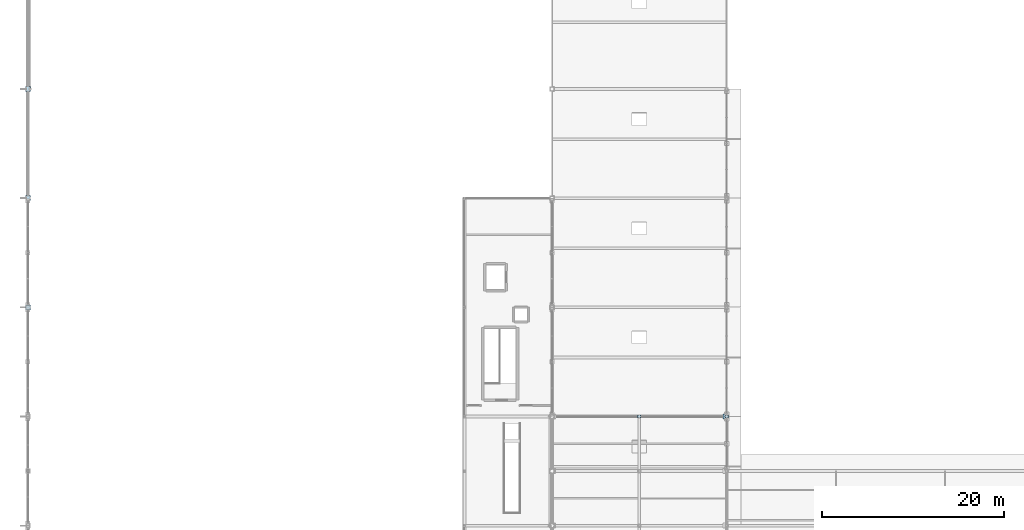
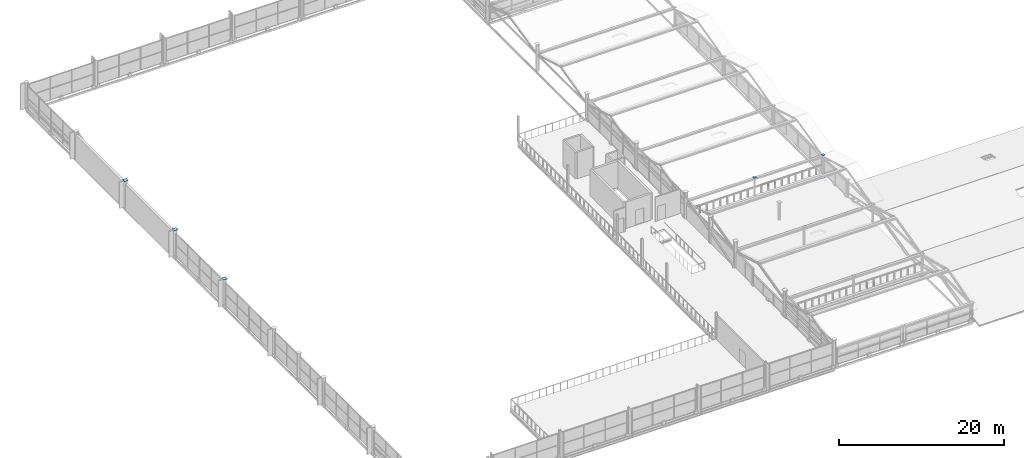
# One storey, part 100 of 117: 6 plates.
"""IFC4 building model written with IfcOpenShell, lengths in metres."""

from ifc_helpers import new_model, si_unit, direction, frame, origin, origin_2d, place, context, subcontext, project, spatial, rectangle, extrude, material, layer, layer_set, type_object, element, save


model = new_model("IFC4")

# Units and contexts
model_context = context("Model", 3, precision=1e-05, world=origin(), true_north=direction((0.0, 1.0)))
body_context = subcontext(model_context, "Body", "Model", "MODEL_VIEW")
ifc_project = project(units=[si_unit("LENGTHUNIT", "METRE"), si_unit("AREAUNIT", "SQUARE_METRE"), si_unit("VOLUMEUNIT", "CUBIC_METRE"), si_unit("PLANEANGLEUNIT", "RADIAN"), si_unit("MASSUNIT", "GRAM", prefix="KILO")], contexts=[model_context])

# Site, building, storey
site_placement = place(None, origin())
site = spatial("IfcSite", under=ifc_project, at=site_placement, CompositionType="ELEMENT")
building_placement = place(site_placement, origin())
building = spatial("IfcBuilding", under=site, at=building_placement, Name="Merenkruunu Market Hall", CompositionType="ELEMENT")
storey_placement = place(building_placement, frame((0.0, 0.0, 10.199951171875)))
storey = spatial("IfcBuildingStorey", under=building, at=storey_placement, Name="L02", CompositionType="ELEMENT", Elevation=10.199951171875)

# Plates
ifc_material = material(Name="Steel S355ML", Category="steel")
ifc_layer_1 = layer(ifc_material, 0.02001953125)
ifc_layer_set_1 = layer_set([ifc_layer_1], Name="Steel S355ML")
plate_type_1 = type_object("IfcPlateType", Name="Truss Gusset Or Cap Plate CP01", PredefinedType="USERDEFINED", material=ifc_layer_set_1)
for number, where, z_axis, x_axis, name in (
    (1, (67.199951171875, 51.60009765625, 2.59814453125), (0.0, 0.0, 1.0), (1.0, 0.0, 0.0), "PLT-CAP-033"),
    (2, (76.800048828125, 51.60009765625, 2.59814453125), (0.0, 0.0, 1.0), (1.0, 0.0, 0.0), "PLT-CAP-043"),
):
    element("IfcPlate", number, at=place(storey_placement, frame(where, z_axis=z_axis, x_axis=x_axis)), inside=storey, type_object=plate_type_1, Name=name, ObjectType="GUSSET_PLATE", PredefinedType="USERDEFINED", context=body_context, shape_type="SweptSolid", body=[
        extrude(rectangle(XDim=0.360107421875, YDim=0.360107421875, at=origin_2d()), origin(), (0.0, 0.0, 1.0), 0.02001953125),
    ])
ifc_layer_2 = layer(ifc_material, 0.02392578125)
ifc_layer_set_2 = layer_set([ifc_layer_2], Name="Steel S355ML")
plate_type_2 = type_object("IfcPlateType", Name="Truss Gusset Or Cap Plate CP03", PredefinedType="USERDEFINED", material=ifc_layer_set_2)
for number, where, z_axis, x_axis, name in (
    (3, (0.0, 63.60009765625, 3.898193359375), (0.0, 0.0, 1.0), (1.0, 0.0, 0.0), "PLT-CAP-007"),
    (4, (0.0, 75.60009765625, 3.898193359375), (0.0, 0.0, 1.0), (1.0, 0.0, 0.0), "PLT-CAP-008"),
    (5, (0.0, 87.60009765625, 3.898193359375), (0.0, 0.0, 1.0), (1.0, 0.0, 0.0), "PLT-CAP-009"),
    (6, (76.679931640625, 51.60009765625, -0.73388671875), (0.0, 0.0, 1.0), (1.0, 0.0, 0.0), "PLT-SB-SEAT-E-04"),
):
    element("IfcPlate", number, at=place(storey_placement, frame(where, z_axis=z_axis, x_axis=x_axis)), inside=storey, type_object=plate_type_2, Name=name, ObjectType="GUSSET_PLATE", PredefinedType="USERDEFINED", context=body_context, shape_type="SweptSolid", body=[
        extrude(rectangle(XDim=0.5400390625, YDim=0.5400390625, at=origin_2d()), origin(), (0.0, 0.0, 1.0), 0.02392578125),
    ])

save(model, "model.ifc")
